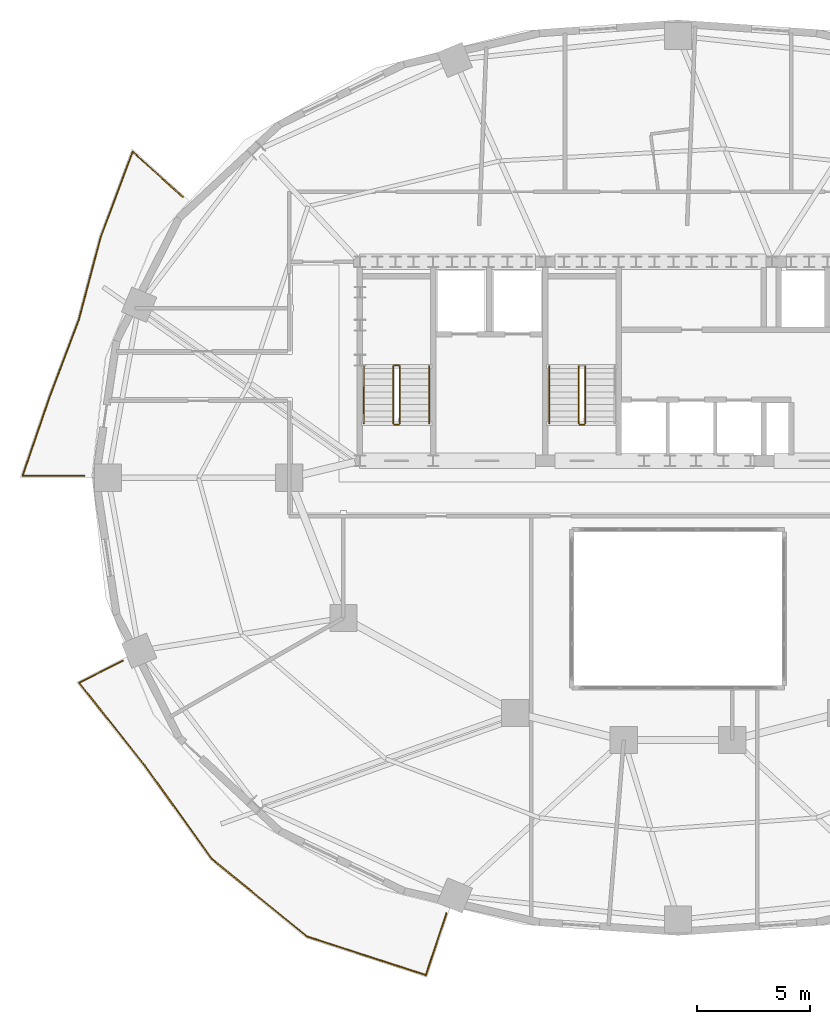
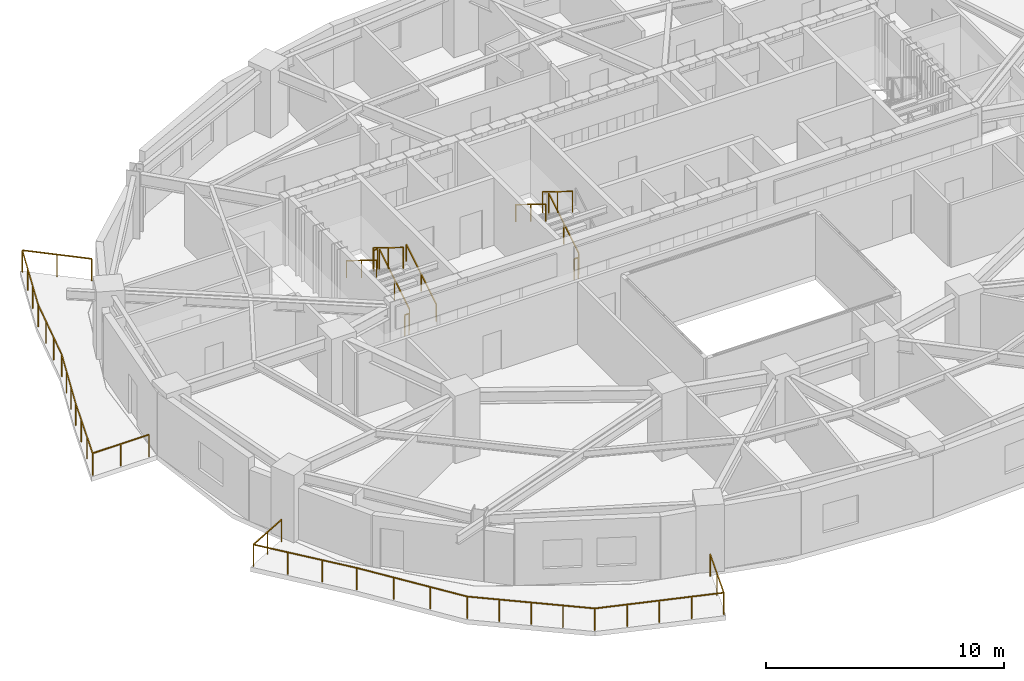
# One storey, part 10 of 13: 12 railings.
"""IFC4 building model written with IfcOpenShell, lengths in metres."""

from ifc_helpers import new_model, si_unit, direction, frame, origin, origin_2d, place, context, subcontext, project, spatial, rectangle, extrude, material, type_object, element, save


model = new_model("IFC4")

# Units and contexts
model_context = context("Model", 3, precision=1e-05, world=origin(), true_north=direction((0.0, 1.0)))
body_context = subcontext(model_context, "Body", "Model", "MODEL_VIEW")
ifc_project = project(units=[si_unit("LENGTHUNIT", "METRE"), si_unit("AREAUNIT", "SQUARE_METRE"), si_unit("VOLUMEUNIT", "CUBIC_METRE"), si_unit("PLANEANGLEUNIT", "RADIAN"), si_unit("MASSUNIT", "GRAM", prefix="KILO")], contexts=[model_context])

# Site, building, storey
site_placement = place(None, origin())
site = spatial("IfcSite", under=ifc_project, at=site_placement, CompositionType="ELEMENT")
building_placement = place(site_placement, origin())
building = spatial("IfcBuilding", under=site, at=building_placement, Name="Haldorwick Loom Tower", CompositionType="ELEMENT")
storey_placement = place(building_placement, frame((0.0, 0.0, 142.550048828125)))
storey = spatial("IfcBuildingStorey", under=building, at=storey_placement, Name="L38", CompositionType="ELEMENT", Elevation=142.550048828125)

# Railings
ifc_material_1 = material(Name="Galvanized Steel CSA G40.21 350W", Category="steel")
railing_type_1 = type_object("IfcRailingType", Name="ARC-RLG-BAL115", PredefinedType="BALUSTRADE", material=ifc_material_1)
railing_1_placement = place(storey_placement, frame((25.756591796875, 6.728515625, 0.0)))
element("IfcRailing", 1, at=railing_1_placement, inside=storey, type_object=railing_type_1, Name="L38 Outdoor Terrace Guardrail SLB-L38-BAL_SW-1", PredefinedType="BALUSTRADE", context=body_context, shape_type="SweptSolid", body=[
    extrude(rectangle(XDim=0.048095703125, YDim=0.048095703125, at=origin_2d()), frame((0.0, 0.0, 1.1259765625), z_axis=(-0.316839129374, -0.948479291338, 0.0), x_axis=(0.948479291338, -0.316839129374, 0.0)), (0.0, 0.0, 1.0), 2.875),
    extrude(rectangle(XDim=0.048095703125, YDim=0.048095703125, at=origin_2d()), frame((-0.910888671875, -2.726806640625, 1.1259765625), z_axis=(-0.951073621426, 0.308964345236, 0.0), x_axis=(-0.308964345236, -0.951073621426, 0.0)), (0.0, 0.0, 1.0), 5.532958984375),
    extrude(rectangle(XDim=0.048095703125, YDim=0.048095703125, at=origin_2d()), frame((-6.173095703125, -1.017333984375, 1.1259765625), z_axis=(-0.774794820107, 0.632212770145, 0.0), x_axis=(-0.632212770145, -0.774794820107, 0.0)), (0.0, 0.0, 1.0), 5.424560546875),
    extrude(rectangle(XDim=0.048095703125, YDim=0.048095703125, at=origin_2d()), frame((-10.3759765625, 2.412109375, 1.1259765625), z_axis=(-0.583373132525, 0.812204277413, 0.0), x_axis=(-0.812204277413, -0.583373132525, 0.0)), (0.0, 0.0, 1.0), 5.090087890625),
    extrude(rectangle(XDim=0.048095703125, YDim=0.048095703125, at=origin_2d()), frame((-13.345458984375, 6.54638671875, 1.1259765625), z_axis=(-0.60971076085, 0.792623989105, 0.0), x_axis=(-0.792623989105, -0.60971076085, 0.0)), (0.0, 0.0, 1.0), 0.00390625),
    extrude(rectangle(XDim=0.048095703125, YDim=0.048095703125, at=origin_2d()), frame((-13.347900390625, 6.549560546875, 1.1259765625), z_axis=(-0.621986182745, 0.783028216908, 0.0), x_axis=(-0.783028216908, -0.621986182745, 0.0)), (0.0, 0.0, 1.0), 4.65576171875),
    extrude(rectangle(XDim=0.048095703125, YDim=0.048095703125, at=origin_2d()), frame((-16.24365234375, 10.195068359375, 1.1259765625), z_axis=(0.890002219109, 0.45595619305, 0.0), x_axis=(-0.45595619305, 0.890002219109, 0.0)), (0.0, 0.0, 1.0), 2.1728515625),
    extrude(rectangle(XDim=0.0419921875, YDim=0.0419921875, at=origin_2d()), origin(), (0.0, 0.0, 1.0), 1.101806640625),
    extrude(rectangle(XDim=0.0419921875, YDim=0.0419921875, at=origin_2d()), frame((-0.45556640625, -1.36328125, 0.0)), (0.0, 0.0, 1.0), 1.101806640625),
    extrude(rectangle(XDim=0.0419921875, YDim=0.0419921875, at=origin_2d()), frame((-0.910888671875, -2.726806640625, 0.0)), (0.0, 0.0, 1.0), 1.101806640625),
    extrude(rectangle(XDim=0.0419921875, YDim=0.0419921875, at=origin_2d()), frame((-2.2265625, -2.29931640625, 0.0)), (0.0, 0.0, 1.0), 1.101806640625),
    extrude(rectangle(XDim=0.0419921875, YDim=0.0419921875, at=origin_2d()), frame((-3.5419921875, -1.8720703125, 0.0)), (0.0, 0.0, 1.0), 1.101806640625),
    extrude(rectangle(XDim=0.0419921875, YDim=0.0419921875, at=origin_2d()), frame((-4.857421875, -1.44482421875, 0.0)), (0.0, 0.0, 1.0), 1.101806640625),
    extrude(rectangle(XDim=0.0419921875, YDim=0.0419921875, at=origin_2d()), frame((-6.173095703125, -1.017333984375, 0.0)), (0.0, 0.0, 1.0), 1.101806640625),
    extrude(rectangle(XDim=0.0419921875, YDim=0.0419921875, at=origin_2d()), frame((-7.223876953125, -0.159912109375, 0.0)), (0.0, 0.0, 1.0), 1.101806640625),
    extrude(rectangle(XDim=0.0419921875, YDim=0.0419921875, at=origin_2d()), frame((-8.2744140625, 0.697265625, 0.0)), (0.0, 0.0, 1.0), 1.101806640625),
    extrude(rectangle(XDim=0.0419921875, YDim=0.0419921875, at=origin_2d()), frame((-9.3251953125, 1.5546875, 0.0)), (0.0, 0.0, 1.0), 1.101806640625),
    extrude(rectangle(XDim=0.0419921875, YDim=0.0419921875, at=origin_2d()), frame((-10.3759765625, 2.412109375, 0.0)), (0.0, 0.0, 1.0), 1.101806640625),
    extrude(rectangle(XDim=0.0419921875, YDim=0.0419921875, at=origin_2d()), frame((-11.36572265625, 3.790283203125, 0.0)), (0.0, 0.0, 1.0), 1.101806640625),
    extrude(rectangle(XDim=0.0419921875, YDim=0.0419921875, at=origin_2d()), frame((-12.355712890625, 5.168212890625, 0.0)), (0.0, 0.0, 1.0), 1.101806640625),
    extrude(rectangle(XDim=0.0419921875, YDim=0.0419921875, at=origin_2d()), frame((-13.345458984375, 6.54638671875, 0.0)), (0.0, 0.0, 1.0), 1.101806640625),
    extrude(rectangle(XDim=0.0419921875, YDim=0.0419921875, at=origin_2d()), frame((-14.313232421875, 7.7646484375, 0.0)), (0.0, 0.0, 1.0), 1.101806640625),
    extrude(rectangle(XDim=0.0419921875, YDim=0.0419921875, at=origin_2d()), frame((-15.2783203125, 8.97998046875, 0.0)), (0.0, 0.0, 1.0), 1.101806640625),
    extrude(rectangle(XDim=0.0419921875, YDim=0.0419921875, at=origin_2d()), frame((-16.24365234375, 10.195068359375, 0.0)), (0.0, 0.0, 1.0), 1.101806640625),
    extrude(rectangle(XDim=0.0419921875, YDim=0.0419921875, at=origin_2d()), frame((-15.27685546875, 10.6904296875, 0.0)), (0.0, 0.0, 1.0), 1.101806640625),
    extrude(rectangle(XDim=0.0419921875, YDim=0.0419921875, at=origin_2d()), frame((-14.309814453125, 11.185791015625, 0.0)), (0.0, 0.0, 1.0), 1.101806640625),
])
railing_2_placement = place(storey_placement, frame((9.73974609375, 26.080078125, 0.0)))
element("IfcRailing", 2, at=railing_2_placement, inside=storey, type_object=railing_type_1, Name="L38 Outdoor Terrace Guardrail SLB-L38-BAL_WNW-1", PredefinedType="BALUSTRADE", context=body_context, shape_type="SweptSolid", body=[
    extrude(rectangle(XDim=0.048095703125, YDim=0.048095703125, at=origin_2d()), frame((0.0, 0.0, 1.1259765625), z_axis=(-1.0, 0.0, 0.0), x_axis=(0.0, -1.0, 0.0)), (0.0, 0.0, 1.0), 2.733154296875),
    extrude(rectangle(XDim=0.048095703125, YDim=0.048095703125, at=origin_2d()), frame((-2.733154296875, 0.0, 1.1259765625), z_axis=(0.324877543995, 0.945756089807, 0.0), x_axis=(-0.945756089807, 0.324877543995, 0.0)), (0.0, 0.0, 1.0), 3.711669921875),
    extrude(rectangle(XDim=0.048095703125, YDim=0.048095703125, at=origin_2d()), frame((-1.52734375, 3.51025390625, 1.1259765625), z_axis=(0.354053402924, 0.935225207037, 0.0), x_axis=(-0.935225207037, 0.354053402924, 0.0)), (0.0, 0.0, 1.0), 3.614013671875),
    extrude(rectangle(XDim=0.048095703125, YDim=0.048095703125, at=origin_2d()), frame((-0.247802734375, 6.89013671875, 1.1259765625), z_axis=(0.307002779923, 0.951708617761, 0.0), x_axis=(-0.951708617761, 0.307002779923, 0.0)), (0.0, 0.0, 1.0), 0.008056640625),
    extrude(rectangle(XDim=0.048095703125, YDim=0.048095703125, at=origin_2d()), frame((-0.245361328125, 6.897705078125, 1.1259765625), z_axis=(0.255651532223, 0.966768997265, 0.0), x_axis=(-0.966768997265, 0.255651532223, 0.0)), (0.0, 0.0, 1.0), 3.786376953125),
    extrude(rectangle(XDim=0.048095703125, YDim=0.048095703125, at=origin_2d()), frame((0.72265625, 10.558349609375, 1.1259765625), z_axis=(0.350917888404, 0.93640623428, 0.0), x_axis=(-0.93640623428, 0.350917888404, 0.0)), (0.0, 0.0, 1.0), 4.03515625),
    extrude(rectangle(XDim=0.048095703125, YDim=0.048095703125, at=origin_2d()), frame((2.138671875, 14.3369140625, 1.1259765625), z_axis=(0.741694932885, -0.670737375232, 0.0), x_axis=(0.670737375232, 0.741694932885, 0.0)), (0.0, 0.0, 1.0), 2.9794921875),
    extrude(rectangle(XDim=0.0419921875, YDim=0.0419921875, at=origin_2d()), origin(), (0.0, 0.0, 1.0), 1.101806640625),
    extrude(rectangle(XDim=0.0419921875, YDim=0.0419921875, at=origin_2d()), frame((-1.36669921875, 0.0, 0.0)), (0.0, 0.0, 1.0), 1.101806640625),
    extrude(rectangle(XDim=0.0419921875, YDim=0.0419921875, at=origin_2d()), frame((-2.733154296875, 0.0, 0.0)), (0.0, 0.0, 1.0), 1.101806640625),
    extrude(rectangle(XDim=0.0419921875, YDim=0.0419921875, at=origin_2d()), frame((-2.331298828125, 1.170166015625, 0.0)), (0.0, 0.0, 1.0), 1.101806640625),
    extrude(rectangle(XDim=0.0419921875, YDim=0.0419921875, at=origin_2d()), frame((-1.92919921875, 2.340087890625, 0.0)), (0.0, 0.0, 1.0), 1.101806640625),
    extrude(rectangle(XDim=0.0419921875, YDim=0.0419921875, at=origin_2d()), frame((-1.52734375, 3.51025390625, 0.0)), (0.0, 0.0, 1.0), 1.101806640625),
    extrude(rectangle(XDim=0.0419921875, YDim=0.0419921875, at=origin_2d()), frame((-1.100830078125, 4.636962890625, 0.0)), (0.0, 0.0, 1.0), 1.101806640625),
    extrude(rectangle(XDim=0.0419921875, YDim=0.0419921875, at=origin_2d()), frame((-0.67431640625, 5.763427734375, 0.0)), (0.0, 0.0, 1.0), 1.101806640625),
    extrude(rectangle(XDim=0.0419921875, YDim=0.0419921875, at=origin_2d()), frame((-0.247802734375, 6.89013671875, 0.0)), (0.0, 0.0, 1.0), 1.101806640625),
    extrude(rectangle(XDim=0.0419921875, YDim=0.0419921875, at=origin_2d()), frame((0.077392578125, 8.117919921875, 0.0)), (0.0, 0.0, 1.0), 1.101806640625),
    extrude(rectangle(XDim=0.0419921875, YDim=0.0419921875, at=origin_2d()), frame((0.39990234375, 9.338134765625, 0.0)), (0.0, 0.0, 1.0), 1.101806640625),
    extrude(rectangle(XDim=0.0419921875, YDim=0.0419921875, at=origin_2d()), frame((0.72265625, 10.558349609375, 0.0)), (0.0, 0.0, 1.0), 1.101806640625),
    extrude(rectangle(XDim=0.0419921875, YDim=0.0419921875, at=origin_2d()), frame((1.194580078125, 11.81787109375, 0.0)), (0.0, 0.0, 1.0), 1.101806640625),
    extrude(rectangle(XDim=0.0419921875, YDim=0.0419921875, at=origin_2d()), frame((1.666748046875, 13.077392578125, 0.0)), (0.0, 0.0, 1.0), 1.101806640625),
    extrude(rectangle(XDim=0.0419921875, YDim=0.0419921875, at=origin_2d()), frame((2.138671875, 14.3369140625, 0.0)), (0.0, 0.0, 1.0), 1.101806640625),
    extrude(rectangle(XDim=0.0419921875, YDim=0.0419921875, at=origin_2d()), frame((3.24365234375, 13.337646484375, 0.0)), (0.0, 0.0, 1.0), 1.101806640625),
    extrude(rectangle(XDim=0.0419921875, YDim=0.0419921875, at=origin_2d()), frame((4.3486328125, 12.33837890625, 0.0)), (0.0, 0.0, 1.0), 1.101806640625),
])
ifc_material_2 = material(Name="Steel CSA G40.21 350W", Category="steel")
railing_type_2 = type_object("IfcRailingType", Name="ARC-RLG-GUARD112", PredefinedType="GUARDRAIL", material=ifc_material_2)
railing_3_placement = place(storey_placement, frame((23.699951171875, 28.39990234375, 0.17236328125)))
element("IfcRailing", 3, at=railing_3_placement, inside=storey, type_object=railing_type_2, Name="L38 ST-01 stair guard 1", PredefinedType="GUARDRAIL", context=body_context, shape_type="SweptSolid", body=[
    extrude(rectangle(XDim=0.048095703125, YDim=0.048095703125, at=origin_2d()), frame((0.0, 0.0, 1.076171875), z_axis=(0.0, 0.851400495292, 0.524516154772), x_axis=(-1.0, 0.0, 0.0)), (0.0, 0.0, 1.0), 2.9599609375),
    extrude(rectangle(XDim=0.0419921875, YDim=0.0419921875, at=origin_2d()), origin(), (0.0, 0.0, 1.0), 1.052001953125),
    extrude(rectangle(XDim=0.0419921875, YDim=0.0419921875, at=origin_2d()), frame((0.0, 1.260009765625, 0.7763671875)), (0.0, 0.0, 1.0), 1.052001953125),
    extrude(rectangle(XDim=0.0419921875, YDim=0.0419921875, at=origin_2d()), frame((0.0, 2.52001953125, 1.552490234375)), (0.0, 0.0, 1.0), 1.052001953125),
])
railing_4_placement = place(storey_placement, frame((23.64990234375, 30.969970703125, 1.724853515625)))
element("IfcRailing", 4, at=railing_4_placement, inside=storey, type_object=railing_type_2, Name="L38 ST-01 stair guard 2", PredefinedType="GUARDRAIL", context=body_context, shape_type="SweptSolid", body=[
    extrude(rectangle(XDim=0.048095703125, YDim=0.048095703125, at=origin_2d()), frame((0.0, 0.0, 1.076171875), z_axis=(-1.0, 0.0, 0.0), x_axis=(0.0, -1.0, 0.0)), (0.0, 0.0, 1.0), 0.199951171875),
    extrude(rectangle(XDim=0.0419921875, YDim=0.0419921875, at=origin_2d()), origin(), (0.0, 0.0, 1.0), 1.052001953125),
    extrude(rectangle(XDim=0.0419921875, YDim=0.0419921875, at=origin_2d()), frame((-0.199951171875, 0.0, 0.0)), (0.0, 0.0, 1.0), 1.052001953125),
])
railing_5_placement = place(storey_placement, frame((23.39990234375, 30.919921875, 1.8974609375)))
element("IfcRailing", 5, at=railing_5_placement, inside=storey, type_object=railing_type_2, Name="L38 ST-01 stair guard 3", PredefinedType="GUARDRAIL", context=body_context, shape_type="SweptSolid", body=[
    extrude(rectangle(XDim=0.048095703125, YDim=0.048095703125, at=origin_2d()), frame((0.0, 0.0, 1.076171875), z_axis=(0.0, -0.851400495292, 0.524516154772), x_axis=(1.0, 0.0, 0.0)), (0.0, 0.0, 1.0), 2.9599609375),
    extrude(rectangle(XDim=0.0419921875, YDim=0.0419921875, at=origin_2d()), origin(), (0.0, 0.0, 1.0), 1.052001953125),
    extrude(rectangle(XDim=0.0419921875, YDim=0.0419921875, at=origin_2d()), frame((0.0, -1.260009765625, 0.7763671875)), (0.0, 0.0, 1.0), 1.052001953125),
    extrude(rectangle(XDim=0.0419921875, YDim=0.0419921875, at=origin_2d()), frame((0.0, -2.52001953125, 1.552490234375)), (0.0, 0.0, 1.0), 1.052001953125),
])
railing_6_placement = place(storey_placement, frame((23.64990234375, 28.35009765625, 0.0)))
element("IfcRailing", 6, at=railing_6_placement, inside=storey, type_object=railing_type_2, Name="L38 ST-01 stair guard 4", PredefinedType="GUARDRAIL", context=body_context, shape_type="SweptSolid", body=[
    extrude(rectangle(XDim=0.048095703125, YDim=0.048095703125, at=origin_2d()), frame((0.0, 0.0, 1.076171875), z_axis=(-1.0, 0.0, 0.0), x_axis=(0.0, -1.0, 0.0)), (0.0, 0.0, 1.0), 0.199951171875),
    extrude(rectangle(XDim=0.0419921875, YDim=0.0419921875, at=origin_2d()), origin(), (0.0, 0.0, 1.0), 1.052001953125),
    extrude(rectangle(XDim=0.0419921875, YDim=0.0419921875, at=origin_2d()), frame((-0.199951171875, 0.0, 0.0)), (0.0, 0.0, 1.0), 1.052001953125),
])
railing_7_placement = place(storey_placement, frame((31.89990234375, 28.39990234375, 0.17236328125)))
element("IfcRailing", 7, at=railing_7_placement, inside=storey, type_object=railing_type_2, Name="L38 ST-03 stair guard 1", PredefinedType="GUARDRAIL", context=body_context, shape_type="SweptSolid", body=[
    extrude(rectangle(XDim=0.048095703125, YDim=0.048095703125, at=origin_2d()), frame((0.0, 0.0, 1.076171875), z_axis=(0.0, 0.851400495292, 0.524516154772), x_axis=(-1.0, 0.0, 0.0)), (0.0, 0.0, 1.0), 2.9599609375),
    extrude(rectangle(XDim=0.0419921875, YDim=0.0419921875, at=origin_2d()), origin(), (0.0, 0.0, 1.0), 1.052001953125),
    extrude(rectangle(XDim=0.0419921875, YDim=0.0419921875, at=origin_2d()), frame((0.0, 1.260009765625, 0.7763671875)), (0.0, 0.0, 1.0), 1.052001953125),
    extrude(rectangle(XDim=0.0419921875, YDim=0.0419921875, at=origin_2d()), frame((0.0, 2.52001953125, 1.552490234375)), (0.0, 0.0, 1.0), 1.052001953125),
])
railing_8_placement = place(storey_placement, frame((31.60009765625, 30.919921875, 1.8974609375)))
element("IfcRailing", 8, at=railing_8_placement, inside=storey, type_object=railing_type_2, Name="L38 ST-03 stair guard 3", PredefinedType="GUARDRAIL", context=body_context, shape_type="SweptSolid", body=[
    extrude(rectangle(XDim=0.048095703125, YDim=0.048095703125, at=origin_2d()), frame((0.0, 0.0, 1.076171875), z_axis=(0.0, -0.851400495292, 0.524516154772), x_axis=(1.0, 0.0, 0.0)), (0.0, 0.0, 1.0), 2.9599609375),
    extrude(rectangle(XDim=0.0419921875, YDim=0.0419921875, at=origin_2d()), origin(), (0.0, 0.0, 1.0), 1.052001953125),
    extrude(rectangle(XDim=0.0419921875, YDim=0.0419921875, at=origin_2d()), frame((0.0, -1.260009765625, 0.7763671875)), (0.0, 0.0, 1.0), 1.052001953125),
    extrude(rectangle(XDim=0.0419921875, YDim=0.0419921875, at=origin_2d()), frame((0.0, -2.52001953125, 1.552490234375)), (0.0, 0.0, 1.0), 1.052001953125),
])
railing_9_placement = place(storey_placement, frame((31.85009765625, 28.35009765625, 0.0)))
element("IfcRailing", 9, at=railing_9_placement, inside=storey, type_object=railing_type_2, Name="L38 ST-03 stair guard 4", PredefinedType="GUARDRAIL", context=body_context, shape_type="SweptSolid", body=[
    extrude(rectangle(XDim=0.048095703125, YDim=0.048095703125, at=origin_2d()), frame((0.0, 0.0, 1.076171875), z_axis=(-1.0, 0.0, 0.0), x_axis=(0.0, -1.0, 0.0)), (0.0, 0.0, 1.0), 0.2001953125),
    extrude(rectangle(XDim=0.0419921875, YDim=0.0419921875, at=origin_2d()), origin(), (0.0, 0.0, 1.0), 1.052001953125),
    extrude(rectangle(XDim=0.0419921875, YDim=0.0419921875, at=origin_2d()), frame((-0.2001953125, 0.0, 0.0)), (0.0, 0.0, 1.0), 1.052001953125),
])
railing_type_3 = type_object("IfcRailingType", Name="ARC-RLG-HAND092", PredefinedType="HANDRAIL", material=ifc_material_2)
railing_10_placement = place(storey_placement, frame((25.0, 28.39990234375, 0.17236328125)))
element("IfcRailing", 10, at=railing_10_placement, inside=storey, type_object=railing_type_3, Name="L38 ST-01 stair handrail 1", PredefinedType="HANDRAIL", context=body_context, shape_type="SweptSolid", body=[
    extrude(rectangle(XDim=0.048095703125, YDim=0.048095703125, at=origin_2d()), frame((0.0, 0.0, 0.8759765625), z_axis=(0.0, 0.851400495292, 0.524516154772), x_axis=(-1.0, 0.0, 0.0)), (0.0, 0.0, 1.0), 2.9599609375),
    extrude(rectangle(XDim=0.0419921875, YDim=0.0419921875, at=origin_2d()), origin(), (0.0, 0.0, 1.0), 0.851806640625),
    extrude(rectangle(XDim=0.0419921875, YDim=0.0419921875, at=origin_2d()), frame((0.0, 1.260009765625, 0.7763671875)), (0.0, 0.0, 1.0), 0.851806640625),
    extrude(rectangle(XDim=0.0419921875, YDim=0.0419921875, at=origin_2d()), frame((0.0, 2.52001953125, 1.552490234375)), (0.0, 0.0, 1.0), 0.851806640625),
])
for number, where, name in (
    (11, (22.10009765625, 30.919921875, 1.8974609375), "L38 ST-01 stair handrail 2"),
    (12, (30.300048828125, 30.919921875, 1.8974609375), "L38 ST-03 stair handrail 2"),
):
    element("IfcRailing", number, at=place(storey_placement, frame(where)), inside=storey, type_object=railing_type_3, Name=name, PredefinedType="HANDRAIL", context=body_context, shape_type="SweptSolid", body=[
        extrude(rectangle(XDim=0.048095703125, YDim=0.048095703125, at=origin_2d()), frame((0.0, 0.0, 0.8759765625), z_axis=(0.0, -0.851400495292, 0.524516154772), x_axis=(1.0, 0.0, 0.0)), (0.0, 0.0, 1.0), 2.9599609375),
        extrude(rectangle(XDim=0.0419921875, YDim=0.0419921875, at=origin_2d()), origin(), (0.0, 0.0, 1.0), 0.851806640625),
        extrude(rectangle(XDim=0.0419921875, YDim=0.0419921875, at=origin_2d()), frame((0.0, -1.260009765625, 0.7763671875)), (0.0, 0.0, 1.0), 0.851806640625),
        extrude(rectangle(XDim=0.0419921875, YDim=0.0419921875, at=origin_2d()), frame((0.0, -2.52001953125, 1.552490234375)), (0.0, 0.0, 1.0), 0.851806640625),
    ])

save(model, "model.ifc")
